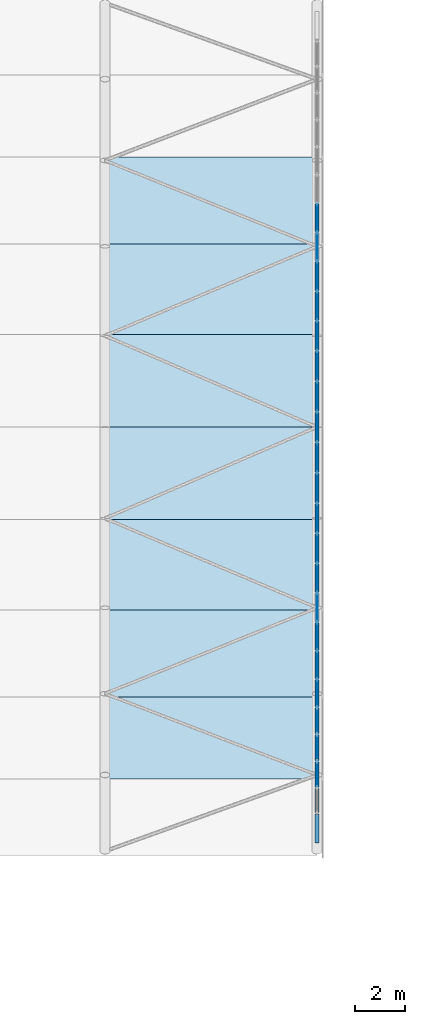
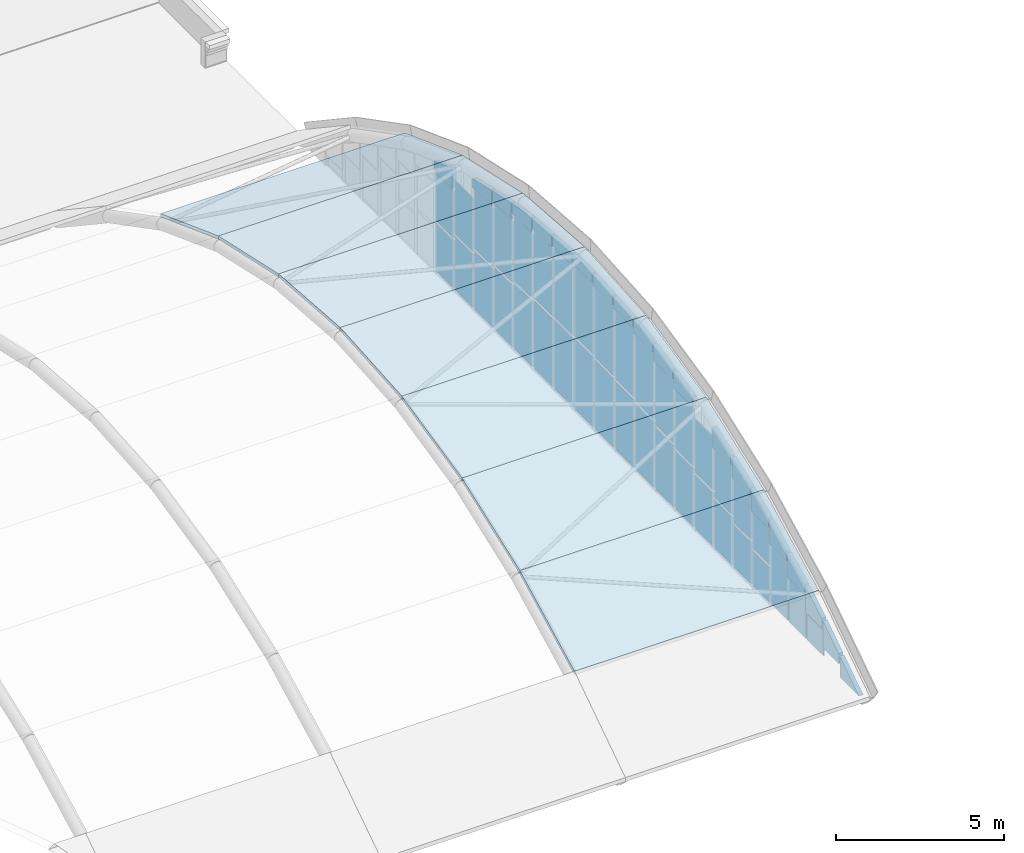
# One storey, part 52 of 77: 57 plates, 7 slabs, 1 element without a shape of its own.
"""IFC4 building model written with IfcOpenShell, lengths in metres."""

from ifc_helpers import new_model, si_unit, direction, frame, origin, origin_2d, place, context, subcontext, project, spatial, polyline, rectangle, outline, extrude, material, layer, layer_set, type_object, element, aggregate, save


model = new_model("IFC4")

# Units and contexts
model_context = context("Model", 3, precision=1e-05, world=origin(), true_north=direction((0.0, 1.0)))
body_context = subcontext(model_context, "Body", "Model", "MODEL_VIEW")
ifc_project = project(units=[si_unit("LENGTHUNIT", "METRE"), si_unit("AREAUNIT", "SQUARE_METRE"), si_unit("VOLUMEUNIT", "CUBIC_METRE"), si_unit("PLANEANGLEUNIT", "RADIAN"), si_unit("MASSUNIT", "GRAM", prefix="KILO")], contexts=[model_context])

# Site, building, storey
site_placement = place(None, origin())
site = spatial("IfcSite", under=ifc_project, at=site_placement, CompositionType="ELEMENT")
building_placement = place(site_placement, origin())
building = spatial("IfcBuilding", under=site, at=building_placement, Name="Catenary Quay Ferry Terminal", CompositionType="ELEMENT")
storey_placement = place(building_placement, frame((0.0, 0.0, 10.800048828125)))
storey = spatial("IfcBuildingStorey", under=building, at=storey_placement, Name="L02", CompositionType="ELEMENT", Elevation=10.800048828125)

# Curtain wall, plates
ifc_material_1 = material(Name="Aluminium and glass", Category="aluminium")
curtain_wall_type = type_object("IfcCurtainWallType", Name="CWA", PredefinedType="NOTDEFINED", material=ifc_material_1)
curtain_wall_placement = place(storey_placement, origin())
curtain_wall = element("IfcCurtainWall", 1, at=curtain_wall_placement, inside=storey, type_object=curtain_wall_type, Name="Arch arrivals hall curtain wall CW12", PredefinedType="NOTDEFINED")
ifc_material_2 = material(Name="Glass", Category="glass")
ifc_layer_1 = layer(ifc_material_2, 0.035888671875)
ifc_layer_set_1 = layer_set([ifc_layer_1], Name="PN4")
plate_type_1 = type_object("IfcPlateType", Name="PN4", PredefinedType="CURTAIN_PANEL", material=ifc_layer_set_1)
plate_1_placement = place(storey_placement, frame((92.39990234375, 70.23486328125, 0.099853515625), z_axis=(0.0, 0.0, 1.0), x_axis=(0.0, 1.0, 0.0)))
plate_1 = element("IfcPlate", 2, at=plate_1_placement, type_object=plate_type_1, Name="CW12 panel 2.1", PredefinedType="CURTAIN_PANEL", context=body_context, shape_type="SweptSolid", body=[
    extrude(rectangle(XDim=0.979736328125, YDim=0.035888671875, at=origin_2d()), origin(), (0.0, 0.0, 1.0), 0.91748046875),
])
plate_2_placement = place(storey_placement, frame((92.39990234375, 71.291259765625, 0.10009765625), z_axis=(0.0, 0.0, 1.0), x_axis=(0.0, 1.0, 0.0)))
plate_2 = element("IfcPlate", 3, at=plate_2_placement, type_object=plate_type_1, Name="CW12 panel 3.1", PredefinedType="CURTAIN_PANEL", context=body_context, shape_type="SweptSolid", body=[
    extrude(rectangle(XDim=1.013427734375, YDim=0.035888671875, at=origin_2d()), origin(), (0.0, 0.0, 1.0), 1.531494140625),
])
plate_3_placement = place(storey_placement, frame((92.39990234375, 72.36474609375, 0.10009765625), z_axis=(0.0, 0.0, 1.0), x_axis=(0.0, 1.0, 0.0)))
plate_3 = element("IfcPlate", 4, at=plate_3_placement, type_object=plate_type_1, Name="CW12 panel 4.1", PredefinedType="CURTAIN_PANEL", context=body_context, shape_type="SweptSolid", body=[
    extrude(rectangle(XDim=1.013427734375, YDim=0.035888671875, at=origin_2d()), origin(), (0.0, 0.0, 1.0), 2.08837890625),
])
plate_4_placement = place(storey_placement, frame((92.39990234375, 73.453125, 0.10009765625), z_axis=(0.0, 0.0, 1.0), x_axis=(0.0, 1.0, 0.0)))
plate_4 = element("IfcPlate", 5, at=plate_4_placement, type_object=plate_type_1, Name="CW12 panel 5.1", PredefinedType="CURTAIN_PANEL", context=body_context, shape_type="SweptSolid", body=[
    extrude(rectangle(XDim=1.043701171875, YDim=0.035888671875, at=origin_2d()), origin(), (0.0, 0.0, 1.0), 1.272705078125),
])
plate_5_placement = place(storey_placement, frame((92.39990234375, 73.453125, 1.47265625), z_axis=(0.0, 0.0, 1.0), x_axis=(0.0, 1.0, 0.0)))
plate_5 = element("IfcPlate", 6, at=plate_5_placement, type_object=plate_type_1, Name="CW12 panel 5.2", PredefinedType="CURTAIN_PANEL", context=body_context, shape_type="SweptSolid", body=[
    extrude(rectangle(XDim=1.043701171875, YDim=0.035888671875, at=origin_2d()), origin(), (0.0, 0.0, 1.0), 1.272705078125),
])
plate_6_placement = place(storey_placement, frame((92.39990234375, 74.572021484375, 0.099853515625), z_axis=(0.0, 0.0, 1.0), x_axis=(0.0, 1.0, 0.0)))
plate_6 = element("IfcPlate", 7, at=plate_6_placement, type_object=plate_type_1, Name="CW12 panel 6.1", PredefinedType="CURTAIN_PANEL", context=body_context, shape_type="SweptSolid", body=[
    extrude(rectangle(XDim=1.073974609375, YDim=0.035888671875, at=origin_2d()), origin(), (0.0, 0.0, 1.0), 1.51708984375),
])
plate_7_placement = place(storey_placement, frame((92.39990234375, 74.572021484375, 1.717041015625), z_axis=(0.0, 0.0, 1.0), x_axis=(0.0, 1.0, 0.0)))
plate_7 = element("IfcPlate", 8, at=plate_7_placement, type_object=plate_type_1, Name="CW12 panel 6.2", PredefinedType="CURTAIN_PANEL", context=body_context, shape_type="SweptSolid", body=[
    extrude(rectangle(XDim=1.073974609375, YDim=0.035888671875, at=origin_2d()), origin(), (0.0, 0.0, 1.0), 1.51708984375),
])
plate_8_placement = place(storey_placement, frame((92.39990234375, 75.7060546875, 0.10009765625), z_axis=(0.0, 0.0, 1.0), x_axis=(0.0, 1.0, 0.0)))
plate_8 = element("IfcPlate", 9, at=plate_8_placement, type_object=plate_type_1, Name="CW12 panel 7.1", PredefinedType="CURTAIN_PANEL", context=body_context, shape_type="SweptSolid", body=[
    extrude(rectangle(XDim=1.073974609375, YDim=0.035888671875, at=origin_2d()), origin(), (0.0, 0.0, 1.0), 1.727294921875),
])
plate_9_placement = place(storey_placement, frame((92.39990234375, 75.7060546875, 1.92724609375), z_axis=(0.0, 0.0, 1.0), x_axis=(0.0, 1.0, 0.0)))
plate_9 = element("IfcPlate", 10, at=plate_9_placement, type_object=plate_type_1, Name="CW12 panel 7.2", PredefinedType="CURTAIN_PANEL", context=body_context, shape_type="SweptSolid", body=[
    extrude(rectangle(XDim=1.073974609375, YDim=0.035888671875, at=origin_2d()), origin(), (0.0, 0.0, 1.0), 1.727294921875),
])
plate_10_placement = place(storey_placement, frame((92.39990234375, 76.8515625, 0.099853515625), z_axis=(0.0, 0.0, 1.0), x_axis=(0.0, 1.0, 0.0)))
plate_10 = element("IfcPlate", 11, at=plate_10_placement, type_object=plate_type_1, Name="CW12 panel 8.1", PredefinedType="CURTAIN_PANEL", context=body_context, shape_type="SweptSolid", body=[
    extrude(rectangle(XDim=1.097412109375, YDim=0.035888671875, at=origin_2d()), origin(), (0.0, 0.0, 1.0), 1.9375),
])
plate_11_placement = place(storey_placement, frame((92.39990234375, 76.8515625, 2.13720703125), z_axis=(0.0, 0.0, 1.0), x_axis=(0.0, 1.0, 0.0)))
plate_11 = element("IfcPlate", 12, at=plate_11_placement, type_object=plate_type_1, Name="CW12 panel 8.2", PredefinedType="CURTAIN_PANEL", context=body_context, shape_type="SweptSolid", body=[
    extrude(rectangle(XDim=1.097412109375, YDim=0.035888671875, at=origin_2d()), origin(), (0.0, 0.0, 1.0), 1.9375),
])
plate_12_placement = place(storey_placement, frame((92.39990234375, 78.020751953125, 0.10009765625), z_axis=(0.0, 0.0, 1.0), x_axis=(0.0, 1.0, 0.0)))
plate_12 = element("IfcPlate", 13, at=plate_12_placement, type_object=plate_type_1, Name="CW12 panel 9.1", PredefinedType="CURTAIN_PANEL", context=body_context, shape_type="SweptSolid", body=[
    extrude(rectangle(XDim=1.12060546875, YDim=0.035888671875, at=origin_2d()), origin(), (0.0, 0.0, 1.0), 2.108154296875),
])
plate_13_placement = place(storey_placement, frame((92.39990234375, 78.020751953125, 2.30810546875), z_axis=(0.0, 0.0, 1.0), x_axis=(0.0, 1.0, 0.0)))
plate_13 = element("IfcPlate", 14, at=plate_13_placement, type_object=plate_type_1, Name="CW12 panel 9.2", PredefinedType="CURTAIN_PANEL", context=body_context, shape_type="SweptSolid", body=[
    extrude(rectangle(XDim=1.12060546875, YDim=0.035888671875, at=origin_2d()), origin(), (0.0, 0.0, 1.0), 2.108154296875),
])
plate_14_placement = place(storey_placement, frame((92.39990234375, 79.201416015625, 0.099853515625), z_axis=(0.0, 0.0, 1.0), x_axis=(0.0, 1.0, 0.0)))
plate_14 = element("IfcPlate", 15, at=plate_14_placement, type_object=plate_type_1, Name="CW12 panel 10.1", PredefinedType="CURTAIN_PANEL", context=body_context, shape_type="SweptSolid", body=[
    extrude(rectangle(XDim=1.12060546875, YDim=0.035888671875, at=origin_2d()), origin(), (0.0, 0.0, 1.0), 2.2392578125),
])
plate_15_placement = place(storey_placement, frame((92.39990234375, 79.201416015625, 2.439208984375), z_axis=(0.0, 0.0, 1.0), x_axis=(0.0, 1.0, 0.0)))
plate_15 = element("IfcPlate", 16, at=plate_15_placement, type_object=plate_type_1, Name="CW12 panel 10.2", PredefinedType="CURTAIN_PANEL", context=body_context, shape_type="SweptSolid", body=[
    extrude(rectangle(XDim=1.12060546875, YDim=0.035888671875, at=origin_2d()), origin(), (0.0, 0.0, 1.0), 2.2392578125),
])
plate_16_placement = place(storey_placement, frame((92.39990234375, 80.388427734375, 0.10009765625), z_axis=(0.0, 0.0, 1.0), x_axis=(0.0, 1.0, 0.0)))
plate_16 = element("IfcPlate", 17, at=plate_16_placement, type_object=plate_type_1, Name="CW12 panel 11.1", PredefinedType="CURTAIN_PANEL", context=body_context, shape_type="SweptSolid", body=[
    extrude(rectangle(XDim=1.13330078125, YDim=0.035888671875, at=origin_2d()), origin(), (0.0, 0.0, 1.0), 2.370361328125),
])
plate_17_placement = place(storey_placement, frame((92.39990234375, 80.388427734375, 2.5703125), z_axis=(0.0, 0.0, 1.0), x_axis=(0.0, 1.0, 0.0)))
plate_17 = element("IfcPlate", 18, at=plate_17_placement, type_object=plate_type_1, Name="CW12 panel 11.2", PredefinedType="CURTAIN_PANEL", context=body_context, shape_type="SweptSolid", body=[
    extrude(rectangle(XDim=1.13330078125, YDim=0.035888671875, at=origin_2d()), origin(), (0.0, 0.0, 1.0), 2.370361328125),
])
plate_18_placement = place(storey_placement, frame((92.39990234375, 81.587890625, 0.10009765625), z_axis=(0.0, 0.0, 1.0), x_axis=(0.0, 1.0, 0.0)))
plate_18 = element("IfcPlate", 19, at=plate_18_placement, type_object=plate_type_1, Name="CW12 panel 12.1", PredefinedType="CURTAIN_PANEL", context=body_context, shape_type="SweptSolid", body=[
    extrude(rectangle(XDim=1.14599609375, YDim=0.035888671875, at=origin_2d()), origin(), (0.0, 0.0, 1.0), 2.458251953125),
])
plate_19_placement = place(storey_placement, frame((92.39990234375, 81.587890625, 2.658203125), z_axis=(0.0, 0.0, 1.0), x_axis=(0.0, 1.0, 0.0)))
plate_19 = element("IfcPlate", 20, at=plate_19_placement, type_object=plate_type_1, Name="CW12 panel 12.2", PredefinedType="CURTAIN_PANEL", context=body_context, shape_type="SweptSolid", body=[
    extrude(rectangle(XDim=1.14599609375, YDim=0.035888671875, at=origin_2d()), origin(), (0.0, 0.0, 1.0), 2.458251953125),
])
plate_20_placement = place(storey_placement, frame((92.39990234375, 82.7939453125, 0.10009765625), z_axis=(0.0, 0.0, 1.0), x_axis=(0.0, 1.0, 0.0)))
plate_20 = element("IfcPlate", 21, at=plate_20_placement, type_object=plate_type_1, Name="CW12 panel 13.1", PredefinedType="CURTAIN_PANEL", context=body_context, shape_type="SweptSolid", body=[
    extrude(rectangle(XDim=1.14599609375, YDim=0.035888671875, at=origin_2d()), origin(), (0.0, 0.0, 1.0), 2.5029296875),
])
plate_21_placement = place(storey_placement, frame((92.39990234375, 82.7939453125, 2.702880859375), z_axis=(0.0, 0.0, 1.0), x_axis=(0.0, 1.0, 0.0)))
plate_21 = element("IfcPlate", 22, at=plate_21_placement, type_object=plate_type_1, Name="CW12 panel 13.2", PredefinedType="CURTAIN_PANEL", context=body_context, shape_type="SweptSolid", body=[
    extrude(rectangle(XDim=1.14599609375, YDim=0.035888671875, at=origin_2d()), origin(), (0.0, 0.0, 1.0), 2.5029296875),
])
plate_22_placement = place(storey_placement, frame((92.39990234375, 84.0, 0.10009765625), z_axis=(0.0, 0.0, 1.0), x_axis=(0.0, 1.0, 0.0)))
plate_22 = element("IfcPlate", 23, at=plate_22_placement, type_object=plate_type_1, Name="CW12 panel 14.1", PredefinedType="CURTAIN_PANEL", context=body_context, shape_type="SweptSolid", body=[
    extrude(rectangle(XDim=1.14599609375, YDim=0.035888671875, at=origin_2d()), origin(), (0.0, 0.0, 1.0), 2.547607421875),
])
plate_23_placement = place(storey_placement, frame((92.39990234375, 84.0, 2.74755859375), z_axis=(0.0, 0.0, 1.0), x_axis=(0.0, 1.0, 0.0)))
plate_23 = element("IfcPlate", 24, at=plate_23_placement, type_object=plate_type_1, Name="CW12 panel 14.2", PredefinedType="CURTAIN_PANEL", context=body_context, shape_type="SweptSolid", body=[
    extrude(rectangle(XDim=1.14599609375, YDim=0.035888671875, at=origin_2d()), origin(), (0.0, 0.0, 1.0), 2.547607421875),
])
plate_24_placement = place(storey_placement, frame((92.39990234375, 85.2060546875, 0.10009765625), z_axis=(0.0, 0.0, 1.0), x_axis=(0.0, 1.0, 0.0)))
plate_24 = element("IfcPlate", 25, at=plate_24_placement, type_object=plate_type_1, Name="CW12 panel 15.1", PredefinedType="CURTAIN_PANEL", context=body_context, shape_type="SweptSolid", body=[
    extrude(rectangle(XDim=1.14599609375, YDim=0.035888671875, at=origin_2d()), origin(), (0.0, 0.0, 1.0), 2.5029296875),
])
plate_25_placement = place(storey_placement, frame((92.39990234375, 85.2060546875, 2.702880859375), z_axis=(0.0, 0.0, 1.0), x_axis=(0.0, 1.0, 0.0)))
plate_25 = element("IfcPlate", 26, at=plate_25_placement, type_object=plate_type_1, Name="CW12 panel 15.2", PredefinedType="CURTAIN_PANEL", context=body_context, shape_type="SweptSolid", body=[
    extrude(rectangle(XDim=1.14599609375, YDim=0.035888671875, at=origin_2d()), origin(), (0.0, 0.0, 1.0), 2.5029296875),
])
plate_26_placement = place(storey_placement, frame((92.39990234375, 86.412109375, 0.10009765625), z_axis=(0.0, 0.0, 1.0), x_axis=(0.0, 1.0, 0.0)))
plate_26 = element("IfcPlate", 27, at=plate_26_placement, type_object=plate_type_1, Name="CW12 panel 16.1", PredefinedType="CURTAIN_PANEL", context=body_context, shape_type="SweptSolid", body=[
    extrude(rectangle(XDim=1.14599609375, YDim=0.035888671875, at=origin_2d()), origin(), (0.0, 0.0, 1.0), 2.458251953125),
])
plate_27_placement = place(storey_placement, frame((92.39990234375, 86.412109375, 2.658203125), z_axis=(0.0, 0.0, 1.0), x_axis=(0.0, 1.0, 0.0)))
plate_27 = element("IfcPlate", 28, at=plate_27_placement, type_object=plate_type_1, Name="CW12 panel 16.2", PredefinedType="CURTAIN_PANEL", context=body_context, shape_type="SweptSolid", body=[
    extrude(rectangle(XDim=1.14599609375, YDim=0.035888671875, at=origin_2d()), origin(), (0.0, 0.0, 1.0), 2.458251953125),
])
plate_28_placement = place(storey_placement, frame((92.39990234375, 87.611572265625, 0.10009765625), z_axis=(0.0, 0.0, 1.0), x_axis=(0.0, 1.0, 0.0)))
plate_28 = element("IfcPlate", 29, at=plate_28_placement, type_object=plate_type_1, Name="CW12 panel 17.1", PredefinedType="CURTAIN_PANEL", context=body_context, shape_type="SweptSolid", body=[
    extrude(rectangle(XDim=1.13330078125, YDim=0.035888671875, at=origin_2d()), origin(), (0.0, 0.0, 1.0), 2.370361328125),
])
plate_29_placement = place(storey_placement, frame((92.39990234375, 87.611572265625, 2.5703125), z_axis=(0.0, 0.0, 1.0), x_axis=(0.0, 1.0, 0.0)))
plate_29 = element("IfcPlate", 30, at=plate_29_placement, type_object=plate_type_1, Name="CW12 panel 17.2", PredefinedType="CURTAIN_PANEL", context=body_context, shape_type="SweptSolid", body=[
    extrude(rectangle(XDim=1.13330078125, YDim=0.035888671875, at=origin_2d()), origin(), (0.0, 0.0, 1.0), 2.370361328125),
])
plate_30_placement = place(storey_placement, frame((92.39990234375, 88.798583984375, 0.099853515625), z_axis=(0.0, 0.0, 1.0), x_axis=(0.0, 1.0, 0.0)))
plate_30 = element("IfcPlate", 31, at=plate_30_placement, type_object=plate_type_1, Name="CW12 panel 18.1", PredefinedType="CURTAIN_PANEL", context=body_context, shape_type="SweptSolid", body=[
    extrude(rectangle(XDim=1.12060546875, YDim=0.035888671875, at=origin_2d()), origin(), (0.0, 0.0, 1.0), 2.2392578125),
])
plate_31_placement = place(storey_placement, frame((92.39990234375, 88.798583984375, 2.439208984375), z_axis=(0.0, 0.0, 1.0), x_axis=(0.0, 1.0, 0.0)))
plate_31 = element("IfcPlate", 32, at=plate_31_placement, type_object=plate_type_1, Name="CW12 panel 18.2", PredefinedType="CURTAIN_PANEL", context=body_context, shape_type="SweptSolid", body=[
    extrude(rectangle(XDim=1.12060546875, YDim=0.035888671875, at=origin_2d()), origin(), (0.0, 0.0, 1.0), 2.2392578125),
])
plate_32_placement = place(storey_placement, frame((92.39990234375, 89.979248046875, 0.10009765625), z_axis=(0.0, 0.0, 1.0), x_axis=(0.0, 1.0, 0.0)))
plate_32 = element("IfcPlate", 33, at=plate_32_placement, type_object=plate_type_1, Name="CW12 panel 19.1", PredefinedType="CURTAIN_PANEL", context=body_context, shape_type="SweptSolid", body=[
    extrude(rectangle(XDim=1.12060546875, YDim=0.035888671875, at=origin_2d()), origin(), (0.0, 0.0, 1.0), 2.108154296875),
])
plate_33_placement = place(storey_placement, frame((92.39990234375, 89.979248046875, 2.30810546875), z_axis=(0.0, 0.0, 1.0), x_axis=(0.0, 1.0, 0.0)))
plate_33 = element("IfcPlate", 34, at=plate_33_placement, type_object=plate_type_1, Name="CW12 panel 19.2", PredefinedType="CURTAIN_PANEL", context=body_context, shape_type="SweptSolid", body=[
    extrude(rectangle(XDim=1.12060546875, YDim=0.035888671875, at=origin_2d()), origin(), (0.0, 0.0, 1.0), 2.108154296875),
])
plate_34_placement = place(storey_placement, frame((92.39990234375, 91.1484375, 0.099853515625), z_axis=(0.0, 0.0, 1.0), x_axis=(0.0, 1.0, 0.0)))
plate_34 = element("IfcPlate", 35, at=plate_34_placement, type_object=plate_type_1, Name="CW12 panel 20.1", PredefinedType="CURTAIN_PANEL", context=body_context, shape_type="SweptSolid", body=[
    extrude(rectangle(XDim=1.097412109375, YDim=0.035888671875, at=origin_2d()), origin(), (0.0, 0.0, 1.0), 1.9375),
])
plate_35_placement = place(storey_placement, frame((92.39990234375, 91.1484375, 2.13720703125), z_axis=(0.0, 0.0, 1.0), x_axis=(0.0, 1.0, 0.0)))
plate_35 = element("IfcPlate", 36, at=plate_35_placement, type_object=plate_type_1, Name="CW12 panel 20.2", PredefinedType="CURTAIN_PANEL", context=body_context, shape_type="SweptSolid", body=[
    extrude(rectangle(XDim=1.097412109375, YDim=0.035888671875, at=origin_2d()), origin(), (0.0, 0.0, 1.0), 1.9375),
])
plate_36_placement = place(storey_placement, frame((92.39990234375, 92.2939453125, 0.10009765625), z_axis=(0.0, 0.0, 1.0), x_axis=(0.0, 1.0, 0.0)))
plate_36 = element("IfcPlate", 37, at=plate_36_placement, type_object=plate_type_1, Name="CW12 panel 21.1", PredefinedType="CURTAIN_PANEL", context=body_context, shape_type="SweptSolid", body=[
    extrude(rectangle(XDim=1.073974609375, YDim=0.035888671875, at=origin_2d()), origin(), (0.0, 0.0, 1.0), 1.727294921875),
])
plate_37_placement = place(storey_placement, frame((92.39990234375, 92.2939453125, 1.92724609375), z_axis=(0.0, 0.0, 1.0), x_axis=(0.0, 1.0, 0.0)))
plate_37 = element("IfcPlate", 38, at=plate_37_placement, type_object=plate_type_1, Name="CW12 panel 21.2", PredefinedType="CURTAIN_PANEL", context=body_context, shape_type="SweptSolid", body=[
    extrude(rectangle(XDim=1.073974609375, YDim=0.035888671875, at=origin_2d()), origin(), (0.0, 0.0, 1.0), 1.727294921875),
])
ifc_material_3 = material(Name="Ceramic tile facing on insulated backing")
ifc_layer_2 = layer(ifc_material_3, 0.14990234375)
ifc_layer_set_2 = layer_set([ifc_layer_2], Name="PN7")
plate_type_2 = type_object("IfcPlateType", Name="PN7", PredefinedType="CURTAIN_PANEL", material=ifc_layer_set_2)
plate_38_placement = place(storey_placement, frame((92.39990234375, 67.52978515625, 0.0), z_axis=(0.0, 0.0, 1.0), x_axis=(0.0, 1.0, 0.0)))
plate_38 = element("IfcPlate", 39, at=plate_38_placement, type_object=plate_type_2, Name="CW12 spandrel panel 1", PredefinedType="CURTAIN_PANEL", context=body_context, shape_type="SweptSolid", body=[
    extrude(outline(polyline([(0.0, 0.0), (1.149169921875, 0.0), (1.149169921875, 0.766357421875), (0.0, 0.0)])), frame((0.0, 0.074951171875, 0.0), z_axis=(0.0, -1.0, 0.0), x_axis=(1.0, 0.0, 0.0)), (0.0, 0.0, 1.0), 0.14990234375),
])
plate_39_placement = place(storey_placement, frame((92.39990234375, 68.739013671875, 0.446533203125), z_axis=(0.0, 0.0, 1.0), x_axis=(0.0, 1.0, 0.0)))
plate_39 = element("IfcPlate", 40, at=plate_39_placement, type_object=plate_type_2, Name="CW12 spandrel panel 2", PredefinedType="CURTAIN_PANEL", context=body_context, shape_type="SweptSolid", body=[
    extrude(outline(polyline([(0.0, 0.0), (0.946044921875, 0.0), (0.946044921875, 0.990966796875), (0.0, 0.35986328125), (0.0, 0.0)])), frame((0.0, 0.074951171875, 0.0), z_axis=(0.0, -1.0, 0.0), x_axis=(1.0, 0.0, 0.0)), (0.0, 0.0, 1.0), 0.14990234375),
])
plate_40_placement = place(storey_placement, frame((92.39990234375, 69.7451171875, 1.117431640625), z_axis=(0.0, 0.0, 1.0), x_axis=(0.0, 1.0, 0.0)))
plate_40 = element("IfcPlate", 41, at=plate_40_placement, type_object=plate_type_2, Name="CW12 spandrel panel 3", PredefinedType="CURTAIN_PANEL", context=body_context, shape_type="SweptSolid", body=[
    extrude(outline(polyline([(0.0, 0.0), (0.979736328125, 0.0), (0.979736328125, 0.9384765625), (0.0, 0.360107421875), (0.0, 0.0)])), frame((0.0, 0.074951171875, 0.0), z_axis=(0.0, -1.0, 0.0), x_axis=(1.0, 0.0, 0.0)), (0.0, 0.0, 1.0), 0.14990234375),
])
plate_41_placement = place(storey_placement, frame((92.39990234375, 70.78466796875, 1.7314453125), z_axis=(0.0, 0.0, 1.0), x_axis=(0.0, 1.0, 0.0)))
plate_41 = element("IfcPlate", 42, at=plate_41_placement, type_object=plate_type_2, Name="CW12 spandrel panel 4", PredefinedType="CURTAIN_PANEL", context=body_context, shape_type="SweptSolid", body=[
    extrude(outline(polyline([(0.0, 0.0), (1.013427734375, 0.0), (1.013427734375, 0.88134765625), (0.0, 0.35546875), (0.0, 0.0)])), frame((0.0, 0.074951171875, 0.0), z_axis=(0.0, -1.0, 0.0), x_axis=(1.0, 0.0, 0.0)), (0.0, 0.0, 1.0), 0.14990234375),
])
plate_42_placement = place(storey_placement, frame((92.39990234375, 71.85791015625, 2.288330078125), z_axis=(0.0, 0.0, 1.0), x_axis=(0.0, 1.0, 0.0)))
plate_42 = element("IfcPlate", 43, at=plate_42_placement, type_object=plate_type_2, Name="CW12 spandrel panel 5", PredefinedType="CURTAIN_PANEL", context=body_context, shape_type="SweptSolid", body=[
    extrude(outline(polyline([(0.0, 0.0), (1.013427734375, 0.0), (1.013427734375, 0.881591796875), (0.0, 0.355712890625), (0.0, 0.0)])), frame((0.0, 0.074951171875, 0.0), z_axis=(0.0, -1.0, 0.0), x_axis=(1.0, 0.0, 0.0)), (0.0, 0.0, 1.0), 0.14990234375),
])
plate_43_placement = place(storey_placement, frame((92.39990234375, 72.931396484375, 2.845458984375), z_axis=(0.0, 0.0, 1.0), x_axis=(0.0, 1.0, 0.0)))
plate_43 = element("IfcPlate", 44, at=plate_43_placement, type_object=plate_type_2, Name="CW12 spandrel panel 6", PredefinedType="CURTAIN_PANEL", context=body_context, shape_type="SweptSolid", body=[
    extrude(outline(polyline([(0.0, 0.0), (1.043701171875, 0.0), (1.043701171875, 0.817626953125), (0.0, 0.35546875), (0.0, 0.0)])), frame((0.0, 0.074951171875, 0.0), z_axis=(0.0, -1.0, 0.0), x_axis=(1.0, 0.0, 0.0)), (0.0, 0.0, 1.0), 0.14990234375),
])
plate_44_placement = place(storey_placement, frame((92.39990234375, 74.034912109375, 3.334228515625), z_axis=(0.0, 0.0, 1.0), x_axis=(0.0, 1.0, 0.0)))
plate_44 = element("IfcPlate", 45, at=plate_44_placement, type_object=plate_type_2, Name="CW12 spandrel panel 7", PredefinedType="CURTAIN_PANEL", context=body_context, shape_type="SweptSolid", body=[
    extrude(outline(polyline([(0.0, 0.0), (1.073974609375, 0.0), (1.073974609375, 0.7490234375), (0.0, 0.35107421875), (0.0, 0.0)])), frame((0.0, 0.074951171875, 0.0), z_axis=(0.0, -1.0, 0.0), x_axis=(1.0, 0.0, 0.0)), (0.0, 0.0, 1.0), 0.14990234375),
])
plate_45_placement = place(storey_placement, frame((92.39990234375, 75.1689453125, 3.75439453125), z_axis=(0.0, 0.0, 1.0), x_axis=(0.0, 1.0, 0.0)))
plate_45 = element("IfcPlate", 46, at=plate_45_placement, type_object=plate_type_2, Name="CW12 spandrel panel 8", PredefinedType="CURTAIN_PANEL", context=body_context, shape_type="SweptSolid", body=[
    extrude(outline(polyline([(0.0, 0.0), (1.073974609375, 0.0), (1.073974609375, 0.749267578125), (0.0, 0.35107421875), (0.0, 0.0)])), frame((0.0, 0.074951171875, 0.0), z_axis=(0.0, -1.0, 0.0), x_axis=(1.0, 0.0, 0.0)), (0.0, 0.0, 1.0), 0.14990234375),
])
plate_46_placement = place(storey_placement, frame((92.39990234375, 77.46044921875, 4.51611328125), z_axis=(0.0, 0.0, 1.0), x_axis=(0.0, 1.0, 0.0)))
plate_46 = element("IfcPlate", 47, at=plate_46_placement, type_object=plate_type_2, Name="CW12 spandrel panel 11", PredefinedType="CURTAIN_PANEL", context=body_context, shape_type="SweptSolid", body=[
    extrude(outline(polyline([(0.0, 0.0), (1.12060546875, 0.0), (1.12060546875, 0.595703125), (0.0, 0.3466796875), (0.0, 0.0)])), frame((0.0, 0.074951171875, 0.0), z_axis=(0.0, -1.0, 0.0), x_axis=(1.0, 0.0, 0.0)), (0.0, 0.0, 1.0), 0.14990234375),
])
plate_47_placement = place(storey_placement, frame((92.39990234375, 78.64111328125, 4.778564453125), z_axis=(0.0, 0.0, 1.0), x_axis=(0.0, 1.0, 0.0)))
plate_47 = element("IfcPlate", 48, at=plate_47_placement, type_object=plate_type_2, Name="CW12 spandrel panel 12", PredefinedType="CURTAIN_PANEL", context=body_context, shape_type="SweptSolid", body=[
    extrude(outline(polyline([(0.0, 0.0), (1.12060546875, 0.0), (1.12060546875, 0.595458984375), (0.0, 0.346435546875), (0.0, 0.0)])), frame((0.0, 0.074951171875, 0.0), z_axis=(0.0, -1.0, 0.0), x_axis=(1.0, 0.0, 0.0)), (0.0, 0.0, 1.0), 0.14990234375),
])
plate_48_placement = place(storey_placement, frame((92.39990234375, 79.82177734375, 5.040771484375), z_axis=(0.0, 0.0, 1.0), x_axis=(0.0, 1.0, 0.0)))
plate_48 = element("IfcPlate", 49, at=plate_48_placement, type_object=plate_type_2, Name="CW12 spandrel panel 13", PredefinedType="CURTAIN_PANEL", context=body_context, shape_type="SweptSolid", body=[
    extrude(outline(polyline([(0.0, 0.0), (1.13330078125, 0.0), (1.13330078125, 0.513671875), (0.0, 0.3466796875), (0.0, 0.0)])), frame((0.0, 0.074951171875, 0.0), z_axis=(0.0, -1.0, 0.0), x_axis=(1.0, 0.0, 0.0)), (0.0, 0.0, 1.0), 0.14990234375),
])
plate_49_placement = place(storey_placement, frame((92.39990234375, 81.014892578125, 5.216552734375), z_axis=(0.0, 0.0, 1.0), x_axis=(0.0, 1.0, 0.0)))
plate_49 = element("IfcPlate", 50, at=plate_49_placement, type_object=plate_type_2, Name="CW12 spandrel panel 14", PredefinedType="CURTAIN_PANEL", context=body_context, shape_type="SweptSolid", body=[
    extrude(outline(polyline([(0.0, 0.0), (1.14599609375, 0.0), (1.14599609375, 0.42724609375), (0.0, 0.34228515625), (0.0, 0.0)])), frame((0.0, 0.074951171875, 0.0), z_axis=(0.0, -1.0, 0.0), x_axis=(1.0, 0.0, 0.0)), (0.0, 0.0, 1.0), 0.14990234375),
])
plate_50_placement = place(storey_placement, frame((92.39990234375, 82.220947265625, 5.305908203125), z_axis=(0.0, 0.0, 1.0), x_axis=(0.0, 1.0, 0.0)))
plate_50 = element("IfcPlate", 51, at=plate_50_placement, type_object=plate_type_2, Name="CW12 spandrel panel 15", PredefinedType="CURTAIN_PANEL", context=body_context, shape_type="SweptSolid", body=[
    extrude(outline(polyline([(0.0, 0.0), (1.14599609375, 0.0), (1.14599609375, 0.42724609375), (0.0, 0.34228515625), (0.0, 0.0)])), frame((0.0, 0.074951171875, 0.0), z_axis=(0.0, -1.0, 0.0), x_axis=(1.0, 0.0, 0.0)), (0.0, 0.0, 1.0), 0.14990234375),
])
plate_51_placement = place(storey_placement, frame((92.39990234375, 83.427001953125, 5.395263671875), z_axis=(0.0, 0.0, 1.0), x_axis=(0.0, 1.0, 0.0)))
plate_51 = element("IfcPlate", 52, at=plate_51_placement, type_object=plate_type_2, Name="CW12 spandrel panel 16", PredefinedType="CURTAIN_PANEL", context=body_context, shape_type="SweptSolid", body=[
    extrude(outline(polyline([(0.0, 0.0), (1.14599609375, 0.0), (1.14599609375, 0.34228515625), (0.0, 0.34228515625), (0.0, 0.0)])), frame((0.0, 0.074951171875, 0.0), z_axis=(0.0, -1.0, 0.0), x_axis=(1.0, 0.0, 0.0)), (0.0, 0.0, 1.0), 0.14990234375),
])
plate_52_placement = place(storey_placement, frame((92.39990234375, 84.633056640625, 5.305908203125), z_axis=(0.0, 0.0, 1.0), x_axis=(0.0, 1.0, 0.0)))
plate_52 = element("IfcPlate", 53, at=plate_52_placement, type_object=plate_type_2, Name="CW12 spandrel panel 17", PredefinedType="CURTAIN_PANEL", context=body_context, shape_type="SweptSolid", body=[
    extrude(outline(polyline([(0.0, 0.0), (1.14599609375, 0.0), (1.14599609375, 0.34228515625), (0.0, 0.42724609375), (0.0, 0.0)])), frame((0.0, 0.074951171875, 0.0), z_axis=(0.0, -1.0, 0.0), x_axis=(1.0, 0.0, 0.0)), (0.0, 0.0, 1.0), 0.14990234375),
])
plate_53_placement = place(storey_placement, frame((92.39990234375, 85.839111328125, 5.216552734375), z_axis=(0.0, 0.0, 1.0), x_axis=(0.0, 1.0, 0.0)))
plate_53 = element("IfcPlate", 54, at=plate_53_placement, type_object=plate_type_2, Name="CW12 spandrel panel 18", PredefinedType="CURTAIN_PANEL", context=body_context, shape_type="SweptSolid", body=[
    extrude(outline(polyline([(0.0, 0.0), (1.14599609375, 0.0), (1.14599609375, 0.34228515625), (0.0, 0.42724609375), (0.0, 0.0)])), frame((0.0, 0.074951171875, 0.0), z_axis=(0.0, -1.0, 0.0), x_axis=(1.0, 0.0, 0.0)), (0.0, 0.0, 1.0), 0.14990234375),
])
plate_54_placement = place(storey_placement, frame((92.39990234375, 87.044921875, 5.040771484375), z_axis=(0.0, 0.0, 1.0), x_axis=(0.0, 1.0, 0.0)))
plate_54 = element("IfcPlate", 55, at=plate_54_placement, type_object=plate_type_2, Name="CW12 spandrel panel 19", PredefinedType="CURTAIN_PANEL", context=body_context, shape_type="SweptSolid", body=[
    extrude(outline(polyline([(0.0, 0.0), (1.13330078125, 0.0), (1.13330078125, 0.3466796875), (0.0, 0.513671875), (0.0, 0.0)])), frame((0.0, 0.074951171875, 0.0), z_axis=(0.0, -1.0, 0.0), x_axis=(1.0, 0.0, 0.0)), (0.0, 0.0, 1.0), 0.14990234375),
])
plate_55_placement = place(storey_placement, frame((92.39990234375, 88.23828125, 4.778564453125), z_axis=(0.0, 0.0, 1.0), x_axis=(0.0, 1.0, 0.0)))
plate_55 = element("IfcPlate", 56, at=plate_55_placement, type_object=plate_type_2, Name="CW12 spandrel panel 20", PredefinedType="CURTAIN_PANEL", context=body_context, shape_type="SweptSolid", body=[
    extrude(outline(polyline([(0.0, 0.0), (1.12060546875, 0.0), (1.12060546875, 0.346435546875), (0.0, 0.595458984375), (0.0, 0.0)])), frame((0.0, 0.074951171875, 0.0), z_axis=(0.0, -1.0, 0.0), x_axis=(1.0, 0.0, 0.0)), (0.0, 0.0, 1.0), 0.14990234375),
])
plate_56_placement = place(storey_placement, frame((92.39990234375, 89.4189453125, 4.51611328125), z_axis=(0.0, 0.0, 1.0), x_axis=(0.0, 1.0, 0.0)))
plate_56 = element("IfcPlate", 57, at=plate_56_placement, type_object=plate_type_2, Name="CW12 spandrel panel 21", PredefinedType="CURTAIN_PANEL", context=body_context, shape_type="SweptSolid", body=[
    extrude(outline(polyline([(0.0, 0.0), (1.12060546875, 0.0), (1.12060546875, 0.3466796875), (0.0, 0.595703125), (0.0, 0.0)])), frame((0.0, 0.074951171875, 0.0), z_axis=(0.0, -1.0, 0.0), x_axis=(1.0, 0.0, 0.0)), (0.0, 0.0, 1.0), 0.14990234375),
])
plate_57_placement = place(storey_placement, frame((92.39990234375, 91.757080078125, 3.75439453125), z_axis=(0.0, 0.0, 1.0), x_axis=(0.0, 1.0, 0.0)))
plate_57 = element("IfcPlate", 58, at=plate_57_placement, type_object=plate_type_2, Name="CW12 spandrel panel 24", PredefinedType="CURTAIN_PANEL", context=body_context, shape_type="SweptSolid", body=[
    extrude(outline(polyline([(0.0, 0.0), (1.073974609375, 0.0), (1.073974609375, 0.35107421875), (0.0, 0.749267578125), (0.0, 0.0)])), frame((0.0, 0.074951171875, 0.0), z_axis=(0.0, -1.0, 0.0), x_axis=(1.0, 0.0, 0.0)), (0.0, 0.0, 1.0), 0.14990234375),
])
aggregate(curtain_wall, [plate_38, plate_39, plate_1, plate_40, plate_2, plate_41, plate_3, plate_42, plate_4, plate_5, plate_43, plate_6, plate_7, plate_44, plate_8, plate_9, plate_45, plate_10, plate_11, plate_12, plate_13, plate_46, plate_14, plate_15, plate_47, plate_16, plate_17, plate_48, plate_18, plate_19, plate_49, plate_20, plate_21, plate_50, plate_22, plate_23, plate_51, plate_24, plate_25, plate_52, plate_26, plate_27, plate_53, plate_28, plate_29, plate_54, plate_30, plate_31, plate_55, plate_32, plate_33, plate_56, plate_34, plate_35, plate_36, plate_37, plate_57])

# Slabs
ifc_material_4 = material(Name="Concrete C35/45", Category="concrete")
ifc_layer_3 = layer(ifc_material_4, 0.1201171875)
ifc_layer_set_3 = layer_set([ifc_layer_3], Name="Thin concrete shell roof slab C35/45 120")
slab_type = type_object("IfcSlabType", Name="Thin concrete shell roof slab C35/45 120", PredefinedType="ROOF", material=ifc_layer_set_3)
slab_1_placement = place(storey_placement, frame((84.0, 70.053466796875, 2.291748046875), z_axis=(0.0, -0.460591277623, 0.887612344989), x_axis=(1.0, 0.0, 0.0)))
element("IfcSlab", 59, at=slab_1_placement, inside=storey, type_object=slab_type, Name="Roof shell panel VA-08-02", PredefinedType="ROOF", context=body_context, shape_type="SweptSolid", body=[
    extrude(outline(polyline([(0.0, 0.0), (8.39990234375, 0.0), (8.39990234375, 3.6653590805888725), (0.0, 3.6653590805888725), (0.0, 0.0)])), origin(), (0.0, -0.460591277623, -0.887612344989), 0.13525390625),
])
slab_2_placement = place(storey_placement, frame((84.0, 73.306884765625, 3.97998046875), z_axis=(0.0, -0.347563490145, 0.937656451115), x_axis=(1.0, 0.0, 0.0)))
element("IfcSlab", 60, at=slab_2_placement, inside=storey, type_object=slab_type, Name="Roof shell panel VA-08-03", PredefinedType="ROOF", context=body_context, shape_type="SweptSolid", body=[
    extrude(outline(polyline([(0.0, 0.0), (8.39990234375, 0.0), (8.39990234375, 3.6702208425120975), (0.0, 3.6702208425120975), (0.0, 0.0)])), origin(), (0.0, -0.347563490145, -0.937656451115), 0.1279296875),
])
slab_3_placement = place(storey_placement, frame((84.0, 76.748291015625, 5.255615234375), z_axis=(0.0, -0.216902312965, 0.97619331417), x_axis=(1.0, 0.0, 0.0)))
element("IfcSlab", 61, at=slab_3_placement, inside=storey, type_object=slab_type, Name="Roof shell panel VA-08-04", PredefinedType="ROOF", context=body_context, shape_type="SweptSolid", body=[
    extrude(outline(polyline([(0.0, 0.0), (8.39990234375, 0.0), (8.39990234375, 3.6738889000675665), (0.0, 3.6738889000675665), (0.0, 0.0)])), origin(), (0.0, -0.216902312965, -0.97619331417), 0.123046875),
])
slab_4_placement = place(storey_placement, frame((84.0, 80.334716796875, 6.052490234375), z_axis=(0.0, -0.073866791849, 0.997268116938), x_axis=(1.0, 0.0, 0.0)))
element("IfcSlab", 62, at=slab_4_placement, inside=storey, type_object=slab_type, Name="Roof shell panel VA-08-05", PredefinedType="ROOF", context=body_context, shape_type="SweptSolid", body=[
    extrude(outline(polyline([(0.0, 0.0), (8.39990234375, 0.0), (8.39990234375, 3.675323757844933), (0.0, 3.675323757844933), (0.0, 0.0)])), origin(), (0.0, -0.073866791849, -0.997268116938), 0.120361328125),
])
slab_5_placement = place(storey_placement, frame((84.0, 84.0, 6.323974609375), z_axis=(0.0, 0.073866791849, 0.997268116938), x_axis=(1.0, 0.0, 0.0)))
element("IfcSlab", 63, at=slab_5_placement, inside=storey, type_object=slab_type, Name="Roof shell panel VA-08-06", PredefinedType="ROOF", context=body_context, shape_type="SweptSolid", body=[
    extrude(outline(polyline([(0.0, 0.0), (8.39990234375, 0.0), (8.39990234375, 3.675323757844933), (0.0, 3.675323757844933), (0.0, 0.0)])), origin(), (0.0, 0.073866791849, -0.997268116938), 0.120361328125),
])
slab_6_placement = place(storey_placement, frame((84.0, 87.665283203125, 6.052490234375), z_axis=(0.0, 0.216902312965, 0.97619331417), x_axis=(1.0, 0.0, 0.0)))
element("IfcSlab", 64, at=slab_6_placement, inside=storey, type_object=slab_type, Name="Roof shell panel VA-08-07", PredefinedType="ROOF", context=body_context, shape_type="SweptSolid", body=[
    extrude(outline(polyline([(0.0, 0.0), (8.39990234375, 0.0), (8.39990234375, 3.6738889000675665), (0.0, 3.6738889000675665), (0.0, 0.0)])), origin(), (0.0, 0.216902312965, -0.97619331417), 0.123046875),
])
slab_7_placement = place(storey_placement, frame((84.0, 91.251708984375, 5.255615234375), z_axis=(0.0, 0.347563490145, 0.937656451115), x_axis=(1.0, 0.0, 0.0)))
element("IfcSlab", 65, at=slab_7_placement, inside=storey, type_object=slab_type, Name="Roof shell panel VA-08-08", PredefinedType="ROOF", context=body_context, shape_type="SweptSolid", body=[
    extrude(outline(polyline([(0.0, 0.0), (8.39990234375, 0.0), (8.39990234375, 3.6702208425120975), (0.0, 3.6702208425120975), (0.0, 0.0)])), origin(), (0.0, 0.347563490145, -0.937656451115), 0.1279296875),
])

save(model, "model.ifc")
